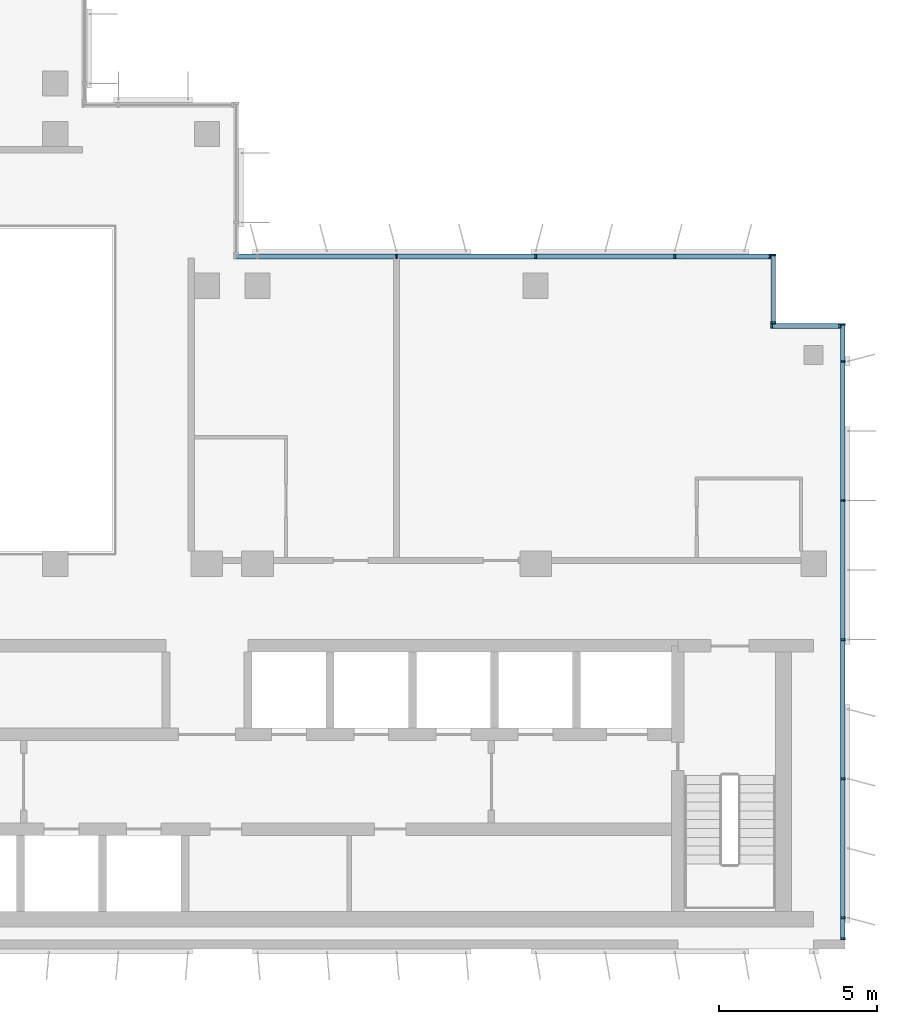
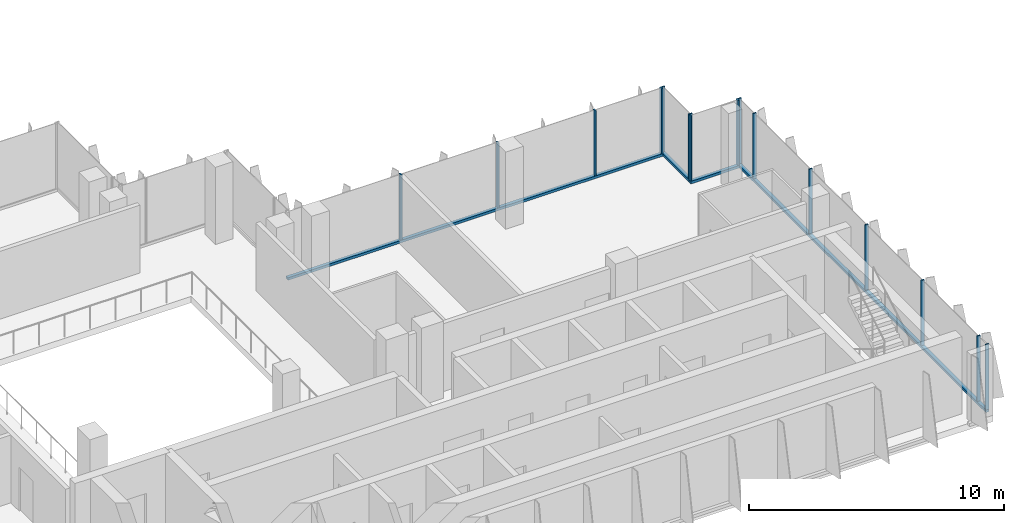
# One storey, part 3 of 13: 19 members, 4 elements without a shape of their own.
"""IFC4 building model written with IfcOpenShell, lengths in metres."""

from ifc_helpers import new_model, si_unit, direction, frame, origin, origin_2d, place, context, subcontext, project, spatial, rectangle, extrude, source, transform, mapped, material, material_profile, profile_set, type_object, element, aggregate, save


model = new_model("IFC4")

# Units and contexts
model_context = context("Model", 3, precision=1e-05, world=origin(), true_north=direction((0.0, 1.0)))
body_context = subcontext(model_context, "Body", "Model", "MODEL_VIEW")
ifc_project = project(units=[si_unit("LENGTHUNIT", "METRE"), si_unit("AREAUNIT", "SQUARE_METRE"), si_unit("VOLUMEUNIT", "CUBIC_METRE"), si_unit("PLANEANGLEUNIT", "RADIAN"), si_unit("MASSUNIT", "GRAM", prefix="KILO")], contexts=[model_context])

# Site, building, storey
site_placement = place(None, origin())
site = spatial("IfcSite", under=ifc_project, at=site_placement, CompositionType="ELEMENT")
building_placement = place(site_placement, origin())
building = spatial("IfcBuilding", under=site, at=building_placement, Name="Kemantara Hotel Tower", CompositionType="ELEMENT")
storey_placement = place(building_placement, frame((0.0, 0.0, 252.39990234375)))
storey = spatial("IfcBuildingStorey", under=building, at=storey_placement, Name="L63", CompositionType="ELEMENT", Elevation=252.39990234375)

# Curtain wall, member
ifc_material_1 = material(Name="Low-E tinted double insulated glass 36 mm", Category="glass")
curtain_wall_type = type_object("IfcCurtainWallType", Name="TOWER CURTAIN WALL, FRONT FACES", PredefinedType="USERDEFINED", material=ifc_material_1)
curtain_wall_1_placement = place(storey_placement, origin())
curtain_wall_1 = element("IfcCurtainWall", 1, at=curtain_wall_1_placement, inside=storey, type_object=curtain_wall_type, Name="CW4 L63 T4P-R06-1", ObjectType="TOWER CURTAIN WALL, FRONT FACES", PredefinedType="USERDEFINED")
ifc_material_2 = material(Name="Aluminium 6063-T6 bronze anodised", Category="aluminium")
ifc_material_profile_1 = material_profile(ifc_material_2, rectangle(XDim=0.14990234375, YDim=0.1201171875, at=origin_2d()), Name="TOWER CURTAIN WALL, FRONT FACES TRANSOM")
ifc_profile_set_1 = profile_set([ifc_material_profile_1], Name="Aluminium 6063-T6 bronze anodised")
member_type_1 = type_object("IfcMemberType", Name="TOWER CURTAIN WALL, FRONT FACES TRANSOM", PredefinedType="USERDEFINED", material=ifc_profile_set_1)
member_1_placement = place(storey_placement, frame((45.925048828125, 0.300048828125, 0.06005859375), z_axis=(0.0, 1.0, 0.0), x_axis=(-1.0, 0.0, 0.0)))
member_1 = element("IfcMember", 2, at=member_1_placement, type_object=member_type_1, Name="CW4 sill transom T4P-R06-1", ObjectType="TRANSOM", PredefinedType="USERDEFINED", context=body_context, shape_type="SweptSolid", body=[
    extrude(rectangle(XDim=0.14990234375, YDim=0.1201171875, at=origin_2d()), origin(), (0.0, 0.0, 1.0), 19.5),
])

curtain_wall_2_placement = place(storey_placement, origin())
curtain_wall_2 = element("IfcCurtainWall", 3, at=curtain_wall_2_placement, inside=storey, type_object=curtain_wall_type, Name="CW4 L63 T4P-R09-1", ObjectType="TOWER CURTAIN WALL, FRONT FACES", PredefinedType="USERDEFINED")
member_2_placement = place(storey_placement, frame((43.64990234375, 21.925048828125, 0.06005859375), z_axis=(-1.0, 0.0, 0.0), x_axis=(0.0, -1.0, 0.0)))
member_2 = element("IfcMember", 4, at=member_2_placement, type_object=member_type_1, Name="CW4 sill transom T4P-R09-1", ObjectType="TRANSOM", PredefinedType="USERDEFINED", context=body_context, shape_type="SweptSolid", body=[
    extrude(rectangle(XDim=0.14990234375, YDim=0.1201171875, at=origin_2d()), origin(), (0.0, 0.0, 1.0), 17.0),
])

curtain_wall_3_placement = place(storey_placement, origin())
curtain_wall_3 = element("IfcCurtainWall", 5, at=curtain_wall_3_placement, inside=storey, type_object=curtain_wall_type, Name="CW4 L63 T4P-R07-1", ObjectType="TOWER CURTAIN WALL, FRONT FACES", PredefinedType="USERDEFINED")
member_3_placement = place(storey_placement, frame((45.85009765625, 19.72509765625, 0.06005859375), z_axis=(-1.0, 0.0, 0.0), x_axis=(0.0, -1.0, 0.0)))
member_3 = element("IfcMember", 6, at=member_3_placement, type_object=member_type_1, Name="CW4 sill transom T4P-R07-1", ObjectType="TRANSOM", PredefinedType="USERDEFINED", context=body_context, shape_type="SweptSolid", body=[
    extrude(rectangle(XDim=0.14990234375, YDim=0.1201171875, at=origin_2d()), origin(), (0.0, 0.0, 1.0), 2.2001953125),
])

curtain_wall_4_placement = place(storey_placement, origin())
curtain_wall_4 = element("IfcCurtainWall", 7, at=curtain_wall_4_placement, inside=storey, type_object=curtain_wall_type, Name="CW4 L63 T4P-R08-1", ObjectType="TOWER CURTAIN WALL, FRONT FACES", PredefinedType="USERDEFINED")
member_4_placement = place(storey_placement, frame((43.72509765625, 19.800048828125, 0.06005859375), z_axis=(0.0, 1.0, 0.0), x_axis=(-1.0, 0.0, 0.0)))
member_4 = element("IfcMember", 8, at=member_4_placement, type_object=member_type_1, Name="CW4 sill transom T4P-R08-1", ObjectType="TRANSOM", PredefinedType="USERDEFINED", context=body_context, shape_type="SweptSolid", body=[
    extrude(rectangle(XDim=0.14990234375, YDim=0.1201171875, at=origin_2d()), origin(), (0.0, 0.0, 1.0), 2.199951171875),
])

# Member
ifc_material_profile_2 = material_profile(ifc_material_2, rectangle(XDim=0.14990234375, YDim=0.06005859375, at=origin_2d()), Name="TOWER CURTAIN WALL, FRONT FACES MULLION")
ifc_profile_set_2 = profile_set([ifc_material_profile_2], Name="Aluminium 6063-T6 bronze anodised")
member_type_2 = type_object("IfcMemberType", Name="TOWER CURTAIN WALL, FRONT FACES MULLION", PredefinedType="MULLION", material=ifc_profile_set_2)
shared_shape = source(origin(), body_context, "Body", "SweptSolid", [
    extrude(rectangle(XDim=0.14990234375, YDim=0.06005859375, at=origin_2d()), origin(), (0.0, 0.0, 1.0), 3.1298828125),
])
member_5_placement = place(storey_placement, frame((45.925048828125, 0.330078125, 0.1201171875), z_axis=(0.0, 0.0, 1.0), x_axis=(-1.0, 0.0, 0.0)))
member_5 = element("IfcMember", 9, at=member_5_placement, type_object=member_type_2, Name="CW4 mullion T4P-R06-1.1", PredefinedType="MULLION", context=body_context, shape_type="MappedRepresentation", body=[
    mapped(shared_shape, transform((0.0, 0.0, 0.0))),
])

member_6_placement = place(storey_placement, frame((45.925048828125, 1.0, 0.1201171875), z_axis=(0.0, 0.0, 1.0), x_axis=(-1.0, 0.0, 0.0)))
member_6 = element("IfcMember", 10, at=member_6_placement, type_object=member_type_2, Name="CW4 mullion T4P-R06-1.2", PredefinedType="MULLION", context=body_context, shape_type="MappedRepresentation", body=[
    mapped(shared_shape, transform((0.0, 0.0, 0.0))),
])

member_7_placement = place(storey_placement, frame((45.925048828125, 5.39990234375, 0.1201171875), z_axis=(0.0, 0.0, 1.0), x_axis=(-1.0, 0.0, 0.0)))
member_7 = element("IfcMember", 11, at=member_7_placement, type_object=member_type_2, Name="CW4 mullion T4P-R06-1.3", PredefinedType="MULLION", context=body_context, shape_type="MappedRepresentation", body=[
    mapped(shared_shape, transform((0.0, 0.0, 0.0))),
])

member_8_placement = place(storey_placement, frame((45.925048828125, 9.800048828125, 0.1201171875), z_axis=(0.0, 0.0, 1.0), x_axis=(-1.0, 0.0, 0.0)))
member_8 = element("IfcMember", 12, at=member_8_placement, type_object=member_type_2, Name="CW4 mullion T4P-R06-1.4", PredefinedType="MULLION", context=body_context, shape_type="MappedRepresentation", body=[
    mapped(shared_shape, transform((0.0, 0.0, 0.0))),
])

member_9_placement = place(storey_placement, frame((45.925048828125, 14.199951171875, 0.1201171875), z_axis=(0.0, 0.0, 1.0), x_axis=(-1.0, 0.0, 0.0)))
member_9 = element("IfcMember", 13, at=member_9_placement, type_object=member_type_2, Name="CW4 mullion T4P-R06-1.5", PredefinedType="MULLION", context=body_context, shape_type="MappedRepresentation", body=[
    mapped(shared_shape, transform((0.0, 0.0, 0.0))),
])

member_10_placement = place(storey_placement, frame((45.925048828125, 18.60009765625, 0.1201171875), z_axis=(0.0, 0.0, 1.0), x_axis=(-1.0, 0.0, 0.0)))
member_10 = element("IfcMember", 14, at=member_10_placement, type_object=member_type_2, Name="CW4 mullion T4P-R06-1.6", PredefinedType="MULLION", context=body_context, shape_type="MappedRepresentation", body=[
    mapped(shared_shape, transform((0.0, 0.0, 0.0))),
])

member_11_placement = place(storey_placement, frame((45.925048828125, 19.77001953125, 0.1201171875), z_axis=(0.0, 0.0, 1.0), x_axis=(-1.0, 0.0, 0.0)))
member_11 = element("IfcMember", 15, at=member_11_placement, type_object=member_type_2, Name="CW4 mullion T4P-R06-1.7", PredefinedType="MULLION", context=body_context, shape_type="MappedRepresentation", body=[
    mapped(shared_shape, transform((0.0, 0.0, 0.0))),
])

aggregate(curtain_wall_1, [member_1, member_5, member_6, member_7, member_8, member_9, member_10, member_11])

member_12_placement = place(storey_placement, frame((43.6201171875, 21.925048828125, 0.1201171875), z_axis=(0.0, 0.0, 1.0), x_axis=(0.0, -1.0, 0.0)))
member_12 = element("IfcMember", 16, at=member_12_placement, type_object=member_type_2, Name="CW4 mullion T4P-R09-1.1", PredefinedType="MULLION", context=body_context, shape_type="MappedRepresentation", body=[
    mapped(shared_shape, transform((0.0, 0.0, 0.0))),
])

member_13_placement = place(storey_placement, frame((40.60009765625, 21.925048828125, 0.1201171875), z_axis=(0.0, 0.0, 1.0), x_axis=(0.0, -1.0, 0.0)))
member_13 = element("IfcMember", 17, at=member_13_placement, type_object=member_type_2, Name="CW4 mullion T4P-R09-1.2", PredefinedType="MULLION", context=body_context, shape_type="MappedRepresentation", body=[
    mapped(shared_shape, transform((0.0, 0.0, 0.0))),
])

member_14_placement = place(storey_placement, frame((36.199951171875, 21.925048828125, 0.1201171875), z_axis=(0.0, 0.0, 1.0), x_axis=(0.0, -1.0, 0.0)))
member_14 = element("IfcMember", 18, at=member_14_placement, type_object=member_type_2, Name="CW4 mullion T4P-R09-1.3", PredefinedType="MULLION", context=body_context, shape_type="MappedRepresentation", body=[
    mapped(shared_shape, transform((0.0, 0.0, 0.0))),
])

member_15_placement = place(storey_placement, frame((31.800048828125, 21.925048828125, 0.1201171875), z_axis=(0.0, 0.0, 1.0), x_axis=(0.0, -1.0, 0.0)))
member_15 = element("IfcMember", 19, at=member_15_placement, type_object=member_type_2, Name="CW4 mullion T4P-R09-1.4", PredefinedType="MULLION", context=body_context, shape_type="MappedRepresentation", body=[
    mapped(shared_shape, transform((0.0, 0.0, 0.0))),
])

aggregate(curtain_wall_2, [member_2, member_12, member_13, member_14, member_15])

member_16_placement = place(storey_placement, frame((45.820068359375, 19.72509765625, 0.1201171875), z_axis=(0.0, 0.0, 1.0), x_axis=(0.0, -1.0, 0.0)))
member_16 = element("IfcMember", 20, at=member_16_placement, type_object=member_type_2, Name="CW4 mullion T4P-R07-1.1", PredefinedType="MULLION", context=body_context, shape_type="MappedRepresentation", body=[
    mapped(shared_shape, transform((0.0, 0.0, 0.0))),
])

member_17_placement = place(storey_placement, frame((43.679931640625, 19.72509765625, 0.1201171875), z_axis=(0.0, 0.0, 1.0), x_axis=(0.0, -1.0, 0.0)))
member_17 = element("IfcMember", 21, at=member_17_placement, type_object=member_type_2, Name="CW4 mullion T4P-R07-1.2", PredefinedType="MULLION", context=body_context, shape_type="MappedRepresentation", body=[
    mapped(shared_shape, transform((0.0, 0.0, 0.0))),
])

aggregate(curtain_wall_3, [member_3, member_16, member_17])

member_18_placement = place(storey_placement, frame((43.72509765625, 19.830078125, 0.1201171875), z_axis=(0.0, 0.0, 1.0), x_axis=(-1.0, 0.0, 0.0)))
member_18 = element("IfcMember", 22, at=member_18_placement, type_object=member_type_2, Name="CW4 mullion T4P-R08-1.1", PredefinedType="MULLION", context=body_context, shape_type="MappedRepresentation", body=[
    mapped(shared_shape, transform((0.0, 0.0, 0.0))),
])

member_19_placement = place(storey_placement, frame((43.72509765625, 21.969970703125, 0.1201171875), z_axis=(0.0, 0.0, 1.0), x_axis=(-1.0, 0.0, 0.0)))
member_19 = element("IfcMember", 23, at=member_19_placement, type_object=member_type_2, Name="CW4 mullion T4P-R08-1.2", PredefinedType="MULLION", context=body_context, shape_type="MappedRepresentation", body=[
    mapped(shared_shape, transform((0.0, 0.0, 0.0))),
])

aggregate(curtain_wall_4, [member_4, member_18, member_19])

save(model, "model.ifc")
